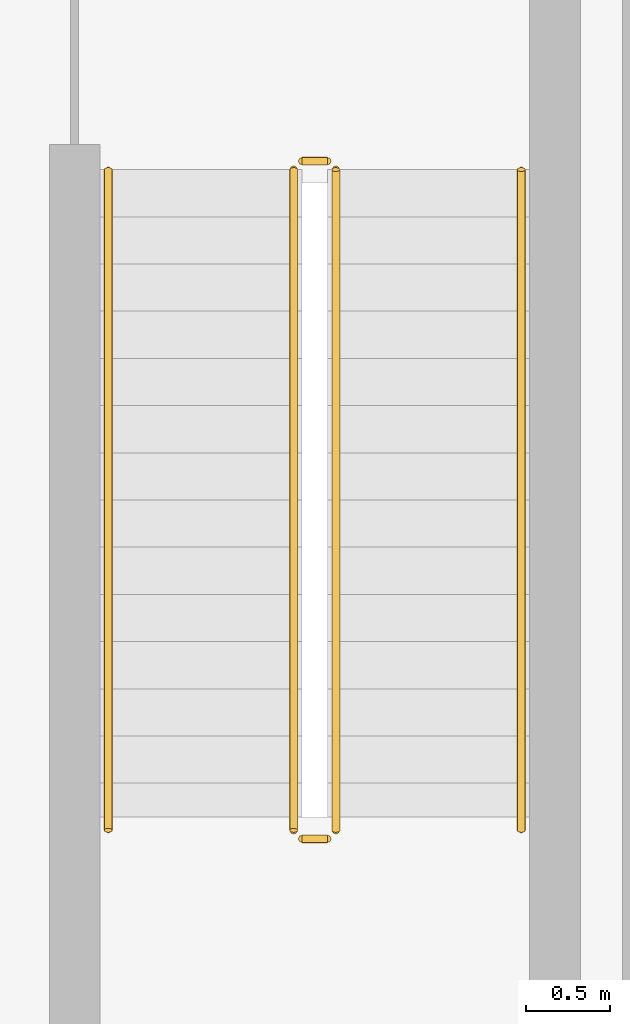
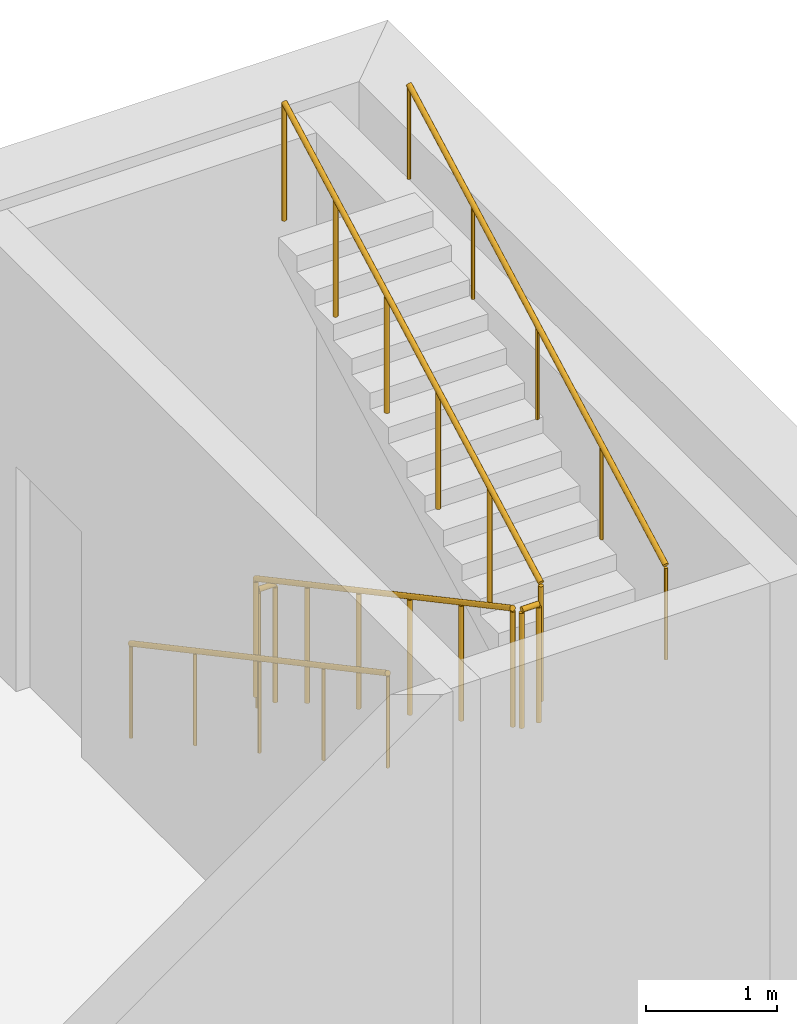
# One storey, part 21 of 21: 6 railings.
"""IFC4 building model written with IfcOpenShell, lengths in metres."""

from ifc_helpers import new_model, si_unit, direction, frame, origin, origin_2d, place, context, subcontext, project, spatial, circle, extrude, material, type_object, element, save


model = new_model("IFC4")

# Units and contexts
model_context = context("Model", 3, precision=1e-05, world=origin(), true_north=direction((0.0, 1.0)))
body_context = subcontext(model_context, "Body", "Model", "MODEL_VIEW")
ifc_project = project(units=[si_unit("LENGTHUNIT", "METRE"), si_unit("AREAUNIT", "SQUARE_METRE"), si_unit("VOLUMEUNIT", "CUBIC_METRE"), si_unit("PLANEANGLEUNIT", "RADIAN"), si_unit("MASSUNIT", "GRAM", prefix="KILO")], contexts=[model_context])

# Site, building, storey
site_placement = place(None, origin())
site = spatial("IfcSite", under=ifc_project, at=site_placement, CompositionType="ELEMENT")
building_placement = place(site_placement, origin())
building = spatial("IfcBuilding", under=site, at=building_placement, Name="Trine Commons Tower", CompositionType="ELEMENT")
storey_placement = place(building_placement, frame((0.0, 0.0, -4.5)))
storey = spatial("IfcBuildingStorey", under=building, at=storey_placement, Name="B1", CompositionType="ELEMENT", Elevation=-4.5)

# Railings
ifc_material = material(Name="Structural steel ASTM A500 Gr C", Category="steel")
railing_type_1 = type_object("IfcRailingType", Name="Steel guard 1120 mm, ASTM A500 Gr C", PredefinedType="GUARDRAIL", material=ifc_material)
railing_1_placement = place(storey_placement, frame((136.25, 102.10009765625, 0.14990234375)))
element("IfcRailing", 1, at=railing_1_placement, inside=storey, type_object=railing_type_1, Name="B1 STB4 stair guard 1", PredefinedType="GUARDRAIL", context=body_context, shape_type="SweptSolid", body=[
    extrude(circle(Radius=0.02392578125, at=origin_2d()), frame((0.0, 0.0, 1.09619140625), z_axis=(0.0, -0.881479153919, 0.472222935917), x_axis=(1.0, 0.0, 0.0)), (0.0, 0.0, 1.0), 4.447265625),
    extrude(circle(Radius=0.02099609375, at=origin_2d()), origin(), (0.0, 0.0, 1.0), 1.072021484375),
    extrude(circle(Radius=0.02099609375, at=origin_2d()), frame((0.0, -0.783935546875, 0.419921875)), (0.0, 0.0, 1.0), 1.072021484375),
    extrude(circle(Radius=0.02099609375, at=origin_2d()), frame((0.0, -1.568115234375, 0.840087890625)), (0.0, 0.0, 1.0), 1.072021484375),
    extrude(circle(Radius=0.02099609375, at=origin_2d()), frame((0.0, -2.35205078125, 1.260009765625)), (0.0, 0.0, 1.0), 1.072021484375),
    extrude(circle(Radius=0.02099609375, at=origin_2d()), frame((0.0, -3.13623046875, 1.68017578125)), (0.0, 0.0, 1.0), 1.072021484375),
    extrude(circle(Radius=0.02099609375, at=origin_2d()), frame((0.0, -3.920166015625, 2.10009765625)), (0.0, 0.0, 1.0), 1.072021484375),
])
railing_2_placement = place(storey_placement, frame((136.300048828125, 98.1298828125, 2.25)))
element("IfcRailing", 2, at=railing_2_placement, inside=storey, type_object=railing_type_1, Name="B1 STB4 stair guard 2", PredefinedType="GUARDRAIL", context=body_context, shape_type="SweptSolid", body=[
    extrude(circle(Radius=0.02392578125, at=origin_2d()), frame((0.0, 0.0, 1.09619140625), z_axis=(1.0, 0.0, 0.0), x_axis=(0.0, 1.0, 0.0)), (0.0, 0.0, 1.0), 0.14990234375),
    extrude(circle(Radius=0.02099609375, at=origin_2d()), origin(), (0.0, 0.0, 1.0), 1.072021484375),
    extrude(circle(Radius=0.02099609375, at=origin_2d()), frame((0.14990234375, 0.0, 0.0)), (0.0, 0.0, 1.0), 1.072021484375),
])
railing_3_placement = place(storey_placement, frame((136.5, 98.179931640625, 2.39990234375)))
element("IfcRailing", 3, at=railing_3_placement, inside=storey, type_object=railing_type_1, Name="B1 STB4 stair guard 3", PredefinedType="GUARDRAIL", context=body_context, shape_type="SweptSolid", body=[
    extrude(circle(Radius=0.02392578125, at=origin_2d()), frame((0.0, 0.0, 1.09619140625), z_axis=(0.0, 0.881479153919, 0.472222935917), x_axis=(-1.0, 0.0, 0.0)), (0.0, 0.0, 1.0), 4.447265625),
    extrude(circle(Radius=0.02099609375, at=origin_2d()), origin(), (0.0, 0.0, 1.0), 1.072021484375),
    extrude(circle(Radius=0.02099609375, at=origin_2d()), frame((0.0, 0.783935546875, 0.419921875)), (0.0, 0.0, 1.0), 1.072021484375),
    extrude(circle(Radius=0.02099609375, at=origin_2d()), frame((0.0, 1.568115234375, 0.840087890625)), (0.0, 0.0, 1.0), 1.072021484375),
    extrude(circle(Radius=0.02099609375, at=origin_2d()), frame((0.0, 2.35205078125, 1.260009765625)), (0.0, 0.0, 1.0), 1.072021484375),
    extrude(circle(Radius=0.02099609375, at=origin_2d()), frame((0.0, 3.13623046875, 1.68017578125)), (0.0, 0.0, 1.0), 1.072021484375),
    extrude(circle(Radius=0.02099609375, at=origin_2d()), frame((0.0, 3.920166015625, 2.10009765625)), (0.0, 0.0, 1.0), 1.072021484375),
])
railing_4_placement = place(storey_placement, frame((136.300048828125, 102.14990234375, 0.0)))
element("IfcRailing", 4, at=railing_4_placement, inside=storey, type_object=railing_type_1, Name="B1 STB4 stair guard 4", PredefinedType="GUARDRAIL", context=body_context, shape_type="SweptSolid", body=[
    extrude(circle(Radius=0.02392578125, at=origin_2d()), frame((0.0, 0.0, 1.09619140625), z_axis=(1.0, 0.0, 0.0), x_axis=(0.0, 1.0, 0.0)), (0.0, 0.0, 1.0), 0.14990234375),
    extrude(circle(Radius=0.02099609375, at=origin_2d()), origin(), (0.0, 0.0, 1.0), 1.072021484375),
    extrude(circle(Radius=0.02099609375, at=origin_2d()), frame((0.14990234375, 0.0, 0.0)), (0.0, 0.0, 1.0), 1.072021484375),
])
railing_type_2 = type_object("IfcRailingType", Name="Steel handrail 900 mm, ASTM A500 Gr C", PredefinedType="HANDRAIL", material=ifc_material)
railing_5_placement = place(storey_placement, frame((135.14990234375, 102.10009765625, 0.14990234375)))
element("IfcRailing", 5, at=railing_5_placement, inside=storey, type_object=railing_type_2, Name="B1 STB4 stair handrail 1", PredefinedType="HANDRAIL", context=body_context, shape_type="SweptSolid", body=[
    extrude(circle(Radius=0.02392578125, at=origin_2d()), frame((0.0, 0.0, 0.8759765625), z_axis=(0.0, -0.881479153919, 0.472222935917), x_axis=(1.0, 0.0, 0.0)), (0.0, 0.0, 1.0), 4.447265625),
    extrude(circle(Radius=0.01513671875, at=origin_2d()), origin(), (0.0, 0.0, 1.0), 0.851806640625),
    extrude(circle(Radius=0.01513671875, at=origin_2d()), frame((0.0, -0.97998046875, 0.52490234375)), (0.0, 0.0, 1.0), 0.851806640625),
    extrude(circle(Radius=0.01513671875, at=origin_2d()), frame((0.0, -1.9599609375, 1.050048828125)), (0.0, 0.0, 1.0), 0.851806640625),
    extrude(circle(Radius=0.01513671875, at=origin_2d()), frame((0.0, -2.940185546875, 1.5751953125)), (0.0, 0.0, 1.0), 0.851806640625),
    extrude(circle(Radius=0.01513671875, at=origin_2d()), frame((0.0, -3.920166015625, 2.10009765625)), (0.0, 0.0, 1.0), 0.851806640625),
])
railing_6_placement = place(storey_placement, frame((137.60009765625, 98.179931640625, 2.39990234375)))
element("IfcRailing", 6, at=railing_6_placement, inside=storey, type_object=railing_type_2, Name="B1 STB4 stair handrail 2", PredefinedType="HANDRAIL", context=body_context, shape_type="SweptSolid", body=[
    extrude(circle(Radius=0.02392578125, at=origin_2d()), frame((0.0, 0.0, 0.8759765625), z_axis=(0.0, 0.881479153919, 0.472222935917), x_axis=(-1.0, 0.0, 0.0)), (0.0, 0.0, 1.0), 4.447265625),
    extrude(circle(Radius=0.01513671875, at=origin_2d()), origin(), (0.0, 0.0, 1.0), 0.851806640625),
    extrude(circle(Radius=0.01513671875, at=origin_2d()), frame((0.0, 0.97998046875, 0.52490234375)), (0.0, 0.0, 1.0), 0.851806640625),
    extrude(circle(Radius=0.01513671875, at=origin_2d()), frame((0.0, 1.9599609375, 1.050048828125)), (0.0, 0.0, 1.0), 0.851806640625),
    extrude(circle(Radius=0.01513671875, at=origin_2d()), frame((0.0, 2.940185546875, 1.5751953125)), (0.0, 0.0, 1.0), 0.851806640625),
    extrude(circle(Radius=0.01513671875, at=origin_2d()), frame((0.0, 3.920166015625, 2.10009765625)), (0.0, 0.0, 1.0), 0.851806640625),
])

save(model, "model.ifc")
